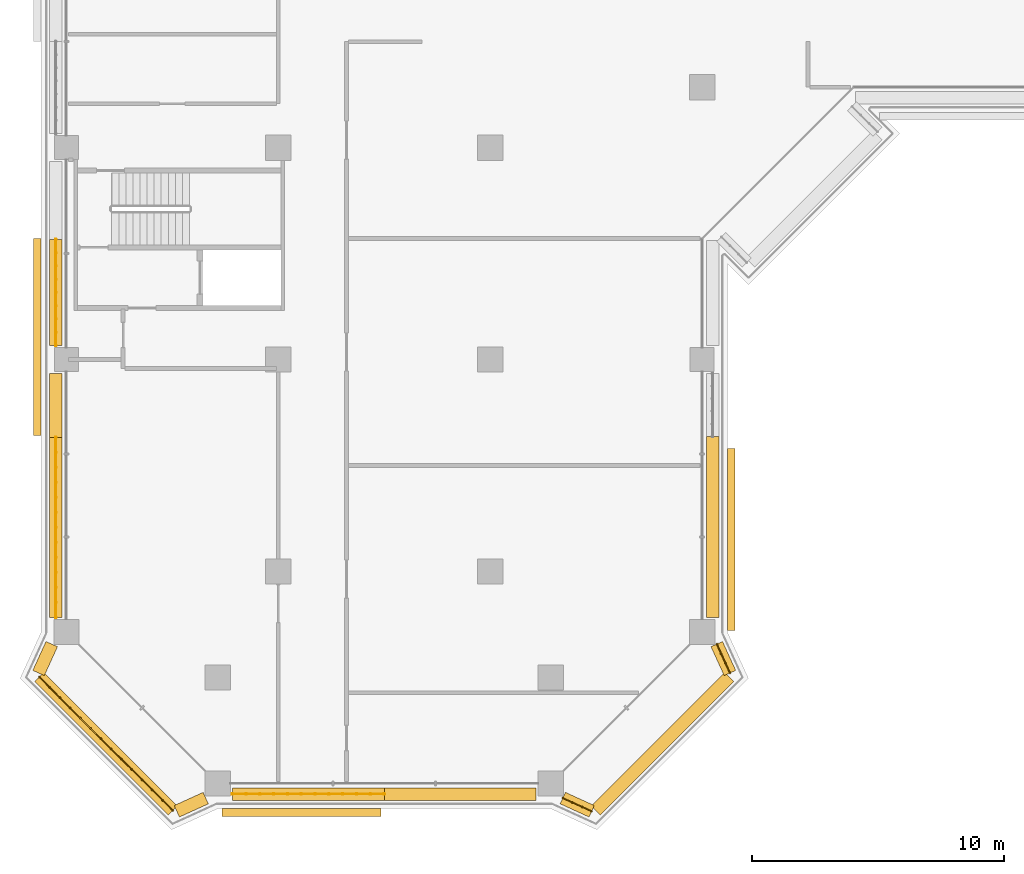
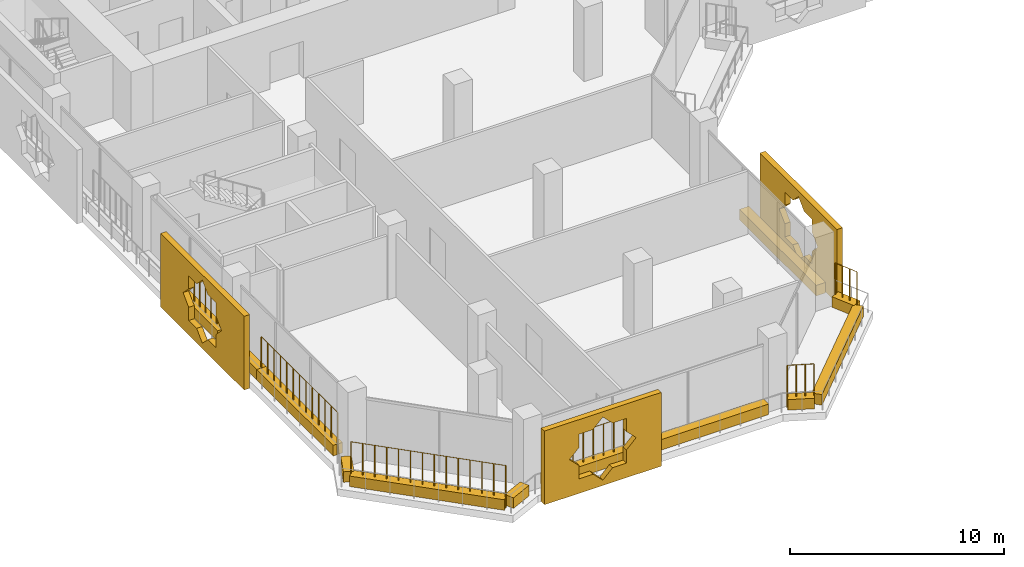
# One storey, part 16 of 23: 15 coverings, 6 railings.
"""IFC4 building model written with IfcOpenShell, lengths in metres."""

from ifc_helpers import new_model, si_unit, direction, frame, origin, origin_2d, place, context, subcontext, project, spatial, polyline, rectangle, circle, outline, extrude, material, material_profile, profile_set, type_object, element, save


model = new_model("IFC4")

# Units and contexts
model_context = context("Model", 3, precision=1e-05, world=origin(), true_north=direction((0.0, 1.0)))
body_context = subcontext(model_context, "Body", "Model", "MODEL_VIEW")
ifc_project = project(units=[si_unit("LENGTHUNIT", "METRE"), si_unit("AREAUNIT", "SQUARE_METRE"), si_unit("VOLUMEUNIT", "CUBIC_METRE"), si_unit("PLANEANGLEUNIT", "RADIAN"), si_unit("MASSUNIT", "GRAM", prefix="KILO")], contexts=[model_context])

# Site, building, storey
site_placement = place(None, origin())
site = spatial("IfcSite", under=ifc_project, at=site_placement, CompositionType="ELEMENT")
building_placement = place(site_placement, origin())
building = spatial("IfcBuilding", under=site, at=building_placement, Name="Kawkab Arch Medical Tower", CompositionType="ELEMENT")
storey_placement = place(building_placement, frame((0.0, 0.0, 158.39990234375)))
storey = spatial("IfcBuildingStorey", under=building, at=storey_placement, Name="L36", CompositionType="ELEMENT", Elevation=158.39990234375)

# Coverings
ifc_material_1 = material(Name="Bronze anodised aluminium mashrabiya panel, eight-point star pattern", Category="aluminium")
ifc_material_profile_1 = material_profile(ifc_material_1, outline(polyline([(-3.14990234375, -2.10009765625), (3.14990234375, -2.10009765625), (3.14990234375, 2.10009765625), (-3.14990234375, 2.10009765625), (-3.14990234375, -2.10009765625)]), holes=[polyline([(1.800048828125, 0.0), (1.272705078125, 0.527099609375), (1.272705078125, 1.272705078125), (0.527099609375, 1.272705078125), (0.0, 1.800048828125), (-0.527099609375, 1.272705078125), (-1.272705078125, 1.272705078125), (-1.272705078125, 0.527099609375), (-1.800048828125, 0.0), (-1.272705078125, -0.527099609375), (-1.272705078125, -1.272705078125), (-0.527099609375, -1.272705078125), (0.0, -1.800048828125), (0.527099609375, -1.272705078125), (1.272705078125, -1.272705078125), (1.272705078125, -0.527099609375), (1.800048828125, 0.0)])]), Name="Mashrabiya panel 6300x4200")
ifc_profile_set_1 = profile_set([ifc_material_profile_1], Name="Bronze anodised aluminium mashrabiya panel, eight-point star pattern")
covering_type_1 = type_object("IfcCoveringType", Name="Mashrabiya panel 6300 x 4200", PredefinedType="USERDEFINED", material=ifc_profile_set_1)
covering_1_placement = place(storey_placement, frame((9.31884765625, -59.800048828125, 1.7001953125), z_axis=(0.0, -1.0, 0.0), x_axis=(1.0, 0.0, 0.0)))
element("IfcCovering", 1, at=covering_1_placement, inside=storey, type_object=covering_type_1, Name="Mashrabiya panel L36.LOG-01-02.4", ObjectType="SCREEN", PredefinedType="USERDEFINED", context=body_context, shape_type="SweptSolid", body=[
    extrude(outline(polyline([(-3.14990234375, -2.10009765625), (3.14990234375, -2.10009765625), (3.14990234375, 2.10009765625), (-3.14990234375, 2.10009765625), (-3.14990234375, -2.10009765625)]), holes=[polyline([(1.800048828125, 0.0), (1.272705078125, 0.527099609375), (1.272705078125, 1.272705078125), (0.527099609375, 1.272705078125), (0.0, 1.800048828125), (-0.527099609375, 1.272705078125), (-1.272705078125, 1.272705078125), (-1.272705078125, 0.527099609375), (-1.800048828125, 0.0), (-1.272705078125, -0.527099609375), (-1.272705078125, -1.272705078125), (-0.527099609375, -1.272705078125), (0.0, -1.800048828125), (0.527099609375, -1.272705078125), (1.272705078125, -1.272705078125), (1.272705078125, -0.527099609375), (1.800048828125, 0.0)])]), origin(), (0.0, 0.0, 1.0), 0.300048828125),
])
ifc_material_2 = material(Name="Bronze anodised aluminium mashrabiya panel, eight-point star pattern", Category="aluminium")
ifc_material_profile_2 = material_profile(ifc_material_2, outline(polyline([(-3.60009765625, -2.10009765625), (3.60009765625, -2.10009765625), (3.60009765625, 2.10009765625), (-3.60009765625, 2.10009765625), (-3.60009765625, -2.10009765625)]), holes=[polyline([(1.800048828125, 0.0), (1.272705078125, 0.527099609375), (1.272705078125, 1.272705078125), (0.527099609375, 1.272705078125), (0.0, 1.800048828125), (-0.527099609375, 1.272705078125), (-1.272705078125, 1.272705078125), (-1.272705078125, 0.527099609375), (-1.800048828125, 0.0), (-1.272705078125, -0.527099609375), (-1.272705078125, -1.272705078125), (-0.527099609375, -1.272705078125), (0.0, -1.800048828125), (0.527099609375, -1.272705078125), (1.272705078125, -1.272705078125), (1.272705078125, -0.527099609375), (1.800048828125, 0.0)])]), Name="Mashrabiya panel 7200x4200")
ifc_profile_set_2 = profile_set([ifc_material_profile_2], Name="Bronze anodised aluminium mashrabiya panel, eight-point star pattern")
covering_type_2 = type_object("IfcCoveringType", Name="Mashrabiya panel 7200 x 4200", PredefinedType="USERDEFINED", material=ifc_profile_set_2)
covering_2_placement = place(storey_placement, frame((26.199951171875, -49.127197265625, 1.7001953125), z_axis=(1.0, 0.0, 0.0), x_axis=(0.0, 1.0, 0.0)))
element("IfcCovering", 2, at=covering_2_placement, inside=storey, type_object=covering_type_2, Name="Mashrabiya panel L36.LOG-01-02.3", ObjectType="SCREEN", PredefinedType="USERDEFINED", context=body_context, shape_type="SweptSolid", body=[
    extrude(outline(polyline([(-3.60009765625, -2.10009765625), (3.60009765625, -2.10009765625), (3.60009765625, 2.10009765625), (-3.60009765625, 2.10009765625), (-3.60009765625, -2.10009765625)]), holes=[polyline([(1.800048828125, 0.0), (1.272705078125, 0.527099609375), (1.272705078125, 1.272705078125), (0.527099609375, 1.272705078125), (0.0, 1.800048828125), (-0.527099609375, 1.272705078125), (-1.272705078125, 1.272705078125), (-1.272705078125, 0.527099609375), (-1.800048828125, 0.0), (-1.272705078125, -0.527099609375), (-1.272705078125, -1.272705078125), (-0.527099609375, -1.272705078125), (0.0, -1.800048828125), (0.527099609375, -1.272705078125), (1.272705078125, -1.272705078125), (1.272705078125, -0.527099609375), (1.800048828125, 0.0)])]), origin(), (0.0, 0.0, 1.0), 0.300048828125),
])
ifc_material_3 = material(Name="Bronze anodised aluminium mashrabiya panel, eight-point star pattern", Category="aluminium")
ifc_material_profile_3 = material_profile(ifc_material_3, outline(polyline([(-3.89990234375, -2.10009765625), (3.89990234375, -2.10009765625), (3.89990234375, 2.10009765625), (-3.89990234375, 2.10009765625), (-3.89990234375, -2.10009765625)]), holes=[polyline([(1.800048828125, 0.0), (1.272705078125, 0.527099609375), (1.272705078125, 1.272705078125), (0.527099609375, 1.272705078125), (0.0, 1.800048828125), (-0.527099609375, 1.272705078125), (-1.272705078125, 1.272705078125), (-1.272705078125, 0.527099609375), (-1.800048828125, 0.0), (-1.272705078125, -0.527099609375), (-1.272705078125, -1.272705078125), (-0.527099609375, -1.272705078125), (0.0, -1.800048828125), (0.527099609375, -1.272705078125), (1.272705078125, -1.272705078125), (1.272705078125, -0.527099609375), (1.800048828125, 0.0)])]), Name="Mashrabiya panel 7800x4200")
ifc_profile_set_3 = profile_set([ifc_material_profile_3], Name="Bronze anodised aluminium mashrabiya panel, eight-point star pattern")
covering_type_3 = type_object("IfcCoveringType", Name="Mashrabiya panel 7800 x 4200", PredefinedType="USERDEFINED", material=ifc_profile_set_3)
covering_3_placement = place(storey_placement, frame((-1.0, -41.10107421875, 1.7001953125), z_axis=(-1.0, 0.0, 0.0), x_axis=(0.0, -1.0, 0.0)))
element("IfcCovering", 3, at=covering_3_placement, inside=storey, type_object=covering_type_3, Name="Mashrabiya panel L36.LOG-01-02.5", ObjectType="SCREEN", PredefinedType="USERDEFINED", context=body_context, shape_type="SweptSolid", body=[
    extrude(outline(polyline([(-3.89990234375, -2.10009765625), (3.89990234375, -2.10009765625), (3.89990234375, 2.10009765625), (-3.89990234375, 2.10009765625), (-3.89990234375, -2.10009765625)]), holes=[polyline([(1.800048828125, 0.0), (1.272705078125, 0.527099609375), (1.272705078125, 1.272705078125), (0.527099609375, 1.272705078125), (0.0, 1.800048828125), (-0.527099609375, 1.272705078125), (-1.272705078125, 1.272705078125), (-1.272705078125, 0.527099609375), (-1.800048828125, 0.0), (-1.272705078125, -0.527099609375), (-1.272705078125, -1.272705078125), (-0.527099609375, -1.272705078125), (0.0, -1.800048828125), (0.527099609375, -1.272705078125), (1.272705078125, -1.272705078125), (1.272705078125, -0.527099609375), (1.800048828125, 0.0)])]), origin(), (0.0, 0.0, 1.0), 0.300048828125),
])
ifc_material_4 = material(Name="Planting soil in a precast trough", Category="concrete")
ifc_material_profile_4 = material_profile(ifc_material_4, rectangle(XDim=0.5, YDim=0.60009765625, at=origin_2d()), Name="Trough 500x600")
ifc_profile_set_4 = profile_set([ifc_material_profile_4], Name="Planting soil in a precast trough")
covering_type_4 = type_object("IfcCoveringType", Name="Planter trough 500 x 600", PredefinedType="USERDEFINED", material=ifc_profile_set_4)
covering_4_placement = place(storey_placement, frame((25.6201171875, -45.054931640625, 0.300048828125), z_axis=(0.0, -1.0, 0.0), x_axis=(1.0, 0.0, 0.0)))
element("IfcCovering", 4, at=covering_4_placement, inside=storey, type_object=covering_type_4, Name="Planter L36.LOG-01-02.12", ObjectType="PLANTER", PredefinedType="USERDEFINED", context=body_context, shape_type="SweptSolid", body=[
    extrude(rectangle(XDim=0.5, YDim=0.60009765625, at=origin_2d()), origin(), (0.0, 0.0, 1.0), 7.1650390625),
])
covering_5_placement = place(storey_placement, frame((25.780029296875, -53.277099609375, 0.300048828125), z_axis=(0.415163092626, -0.909747001381, 0.0), x_axis=(0.909747001381, 0.415163092626, 0.0)))
element("IfcCovering", 5, at=covering_5_placement, inside=storey, type_object=covering_type_4, Name="Planter L36.LOG-01-02.13", ObjectType="PLANTER", PredefinedType="USERDEFINED", context=body_context, shape_type="SweptSolid", body=[
    extrude(rectangle(XDim=0.5, YDim=0.60009765625, at=origin_2d()), origin(), (0.0, 0.0, 1.0), 1.25732421875),
])
covering_6_placement = place(storey_placement, frame((26.27294921875, -54.5830078125, 0.300048828125), z_axis=(-0.707106781187, -0.707106781187, 0.0), x_axis=(0.707106781187, -0.707106781187, 0.0)))
element("IfcCovering", 6, at=covering_6_placement, inside=storey, type_object=covering_type_4, Name="Planter L36.LOG-01-02.14", ObjectType="PLANTER", PredefinedType="USERDEFINED", context=body_context, shape_type="SweptSolid", body=[
    extrude(rectangle(XDim=0.5, YDim=0.60009765625, at=origin_2d()), origin(), (0.0, 0.0, 1.0), 7.481201171875),
])
covering_7_placement = place(storey_placement, frame((20.821044921875, -59.902099609375, 0.300048828125), z_axis=(-0.909707135283, 0.415250440113, 0.0), x_axis=(-0.415250440113, -0.909707135283, 0.0)))
element("IfcCovering", 7, at=covering_7_placement, inside=storey, type_object=covering_type_4, Name="Planter L36.LOG-01-02.15", ObjectType="PLANTER", PredefinedType="USERDEFINED", context=body_context, shape_type="SweptSolid", body=[
    extrude(rectangle(XDim=0.5, YDim=0.60009765625, at=origin_2d()), origin(), (0.0, 0.0, 1.0), 1.257568359375),
])
for number, where, z_axis, x_axis, name in (
    (8, (18.6201171875, -59.219970703125, 0.300048828125), (-1.0, 0.0, 0.0), (0.0, -1.0, 0.0), "Planter L36.LOG-01-02.16"),
    (9, (12.60009765625, -59.219970703125, 0.300048828125), (-1.0, 0.0, 0.0), (0.0, -1.0, 0.0), "Planter L36.LOG-01-02.17"),
):
    element("IfcCovering", number, at=place(storey_placement, frame(where, z_axis=z_axis, x_axis=x_axis)), inside=storey, type_object=covering_type_4, Name=name, ObjectType="PLANTER", PredefinedType="USERDEFINED", context=body_context, shape_type="SweptSolid", body=[
        extrude(rectangle(XDim=0.5, YDim=0.60009765625, at=origin_2d()), origin(), (0.0, 0.0, 1.0), 6.02001953125),
    ])
covering_8_placement = place(storey_placement, frame((5.52294921875, -59.3798828125, 0.300048828125), z_axis=(-0.909707135283, -0.415250440113, 0.0), x_axis=(0.415250440113, -0.909707135283, 0.0)))
element("IfcCovering", 10, at=covering_8_placement, inside=storey, type_object=covering_type_4, Name="Planter L36.LOG-01-02.18", ObjectType="PLANTER", PredefinedType="USERDEFINED", context=body_context, shape_type="SweptSolid", body=[
    extrude(rectangle(XDim=0.5, YDim=0.60009765625, at=origin_2d()), origin(), (0.0, 0.0, 1.0), 1.257568359375),
])
covering_9_placement = place(storey_placement, frame((4.217041015625, -59.873046875, 0.300048828125), z_axis=(-0.707106781187, 0.707106781187, 0.0), x_axis=(-0.707106781187, -0.707106781187, 0.0)))
element("IfcCovering", 11, at=covering_9_placement, inside=storey, type_object=covering_type_4, Name="Planter L36.LOG-01-02.19", ObjectType="PLANTER", PredefinedType="USERDEFINED", context=body_context, shape_type="SweptSolid", body=[
    extrude(rectangle(XDim=0.5, YDim=0.60009765625, at=origin_2d()), origin(), (0.0, 0.0, 1.0), 7.481201171875),
])
covering_10_placement = place(storey_placement, frame((-1.10205078125, -54.4208984375, 0.300048828125), z_axis=(0.415163092626, 0.909747001381, 0.0), x_axis=(-0.909747001381, 0.415163092626, 0.0)))
element("IfcCovering", 12, at=covering_10_placement, inside=storey, type_object=covering_type_4, Name="Planter L36.LOG-01-02.20", ObjectType="PLANTER", PredefinedType="USERDEFINED", context=body_context, shape_type="SweptSolid", body=[
    extrude(rectangle(XDim=0.5, YDim=0.60009765625, at=origin_2d()), origin(), (0.0, 0.0, 1.0), 1.25732421875),
])
covering_11_placement = place(storey_placement, frame((-0.419921875, -52.219970703125, 0.300048828125), z_axis=(0.0, 1.0, 0.0), x_axis=(-1.0, 0.0, 0.0)))
element("IfcCovering", 13, at=covering_11_placement, inside=storey, type_object=covering_type_4, Name="Planter L36.LOG-01-02.21", ObjectType="PLANTER", PredefinedType="USERDEFINED", context=body_context, shape_type="SweptSolid", body=[
    extrude(rectangle(XDim=0.5, YDim=0.60009765625, at=origin_2d()), origin(), (0.0, 0.0, 1.0), 7.135986328125),
])
covering_12_placement = place(storey_placement, frame((-0.419921875, -45.083984375, 0.300048828125), z_axis=(0.0, 1.0, 0.0), x_axis=(-1.0, 0.0, 0.0)))
element("IfcCovering", 14, at=covering_12_placement, inside=storey, type_object=covering_type_4, Name="Planter L36.LOG-01-02.22", ObjectType="PLANTER", PredefinedType="USERDEFINED", context=body_context, shape_type="SweptSolid", body=[
    extrude(rectangle(XDim=0.5, YDim=0.60009765625, at=origin_2d()), origin(), (0.0, 0.0, 1.0), 2.529052734375),
])
covering_13_placement = place(storey_placement, frame((-0.419921875, -41.445068359375, 0.300048828125), z_axis=(0.0, 1.0, 0.0), x_axis=(-1.0, 0.0, 0.0)))
element("IfcCovering", 15, at=covering_13_placement, inside=storey, type_object=covering_type_4, Name="Planter L36.LOG-01-02.23", ObjectType="PLANTER", PredefinedType="USERDEFINED", context=body_context, shape_type="SweptSolid", body=[
    extrude(rectangle(XDim=0.5, YDim=0.60009765625, at=origin_2d()), origin(), (0.0, 0.0, 1.0), 4.203125),
])

# Railings
ifc_material_5 = material(Name="Bronze anodised aluminium trellis for climbing plants", Category="aluminium")
railing_type = type_object("IfcRailingType", Name="Planting trellis 2400", PredefinedType="USERDEFINED", material=ifc_material_5)
railing_1_placement = place(storey_placement, frame((25.780029296875, -53.277099609375, 0.0)))
element("IfcRailing", 16, at=railing_1_placement, inside=storey, type_object=railing_type, Name="Planting trellis L36.LOG-01-02.13", ObjectType="TRELLIS", PredefinedType="USERDEFINED", context=body_context, shape_type="SweptSolid", body=[
    extrude(circle(Radius=0.01513671875, at=origin_2d()), frame((0.0, 0.0, 2.384765625), z_axis=(0.415163092626, -0.909747001381, 0.0), x_axis=(0.909747001381, 0.415163092626, 0.0)), (0.0, 0.0, 1.0), 1.25732421875),
    extrude(circle(Radius=0.030029296875, at=origin_2d()), origin(), (0.0, 0.0, 1.0), 2.369873046875),
    extrude(circle(Radius=0.030029296875, at=origin_2d()), frame((0.174072265625, -0.38134765625, 0.0)), (0.0, 0.0, 1.0), 2.369873046875),
    extrude(circle(Radius=0.030029296875, at=origin_2d()), frame((0.347900390625, -0.762451171875, 0.0)), (0.0, 0.0, 1.0), 2.369873046875),
    extrude(circle(Radius=0.030029296875, at=origin_2d()), frame((0.52197265625, -1.143798828125, 0.0)), (0.0, 0.0, 1.0), 2.369873046875),
])
railing_2_placement = place(storey_placement, frame((20.821044921875, -59.902099609375, 0.0)))
element("IfcRailing", 17, at=railing_2_placement, inside=storey, type_object=railing_type, Name="Planting trellis L36.LOG-01-02.15", ObjectType="TRELLIS", PredefinedType="USERDEFINED", context=body_context, shape_type="SweptSolid", body=[
    extrude(circle(Radius=0.01513671875, at=origin_2d()), frame((0.0, 0.0, 2.384765625), z_axis=(-0.909707135283, 0.415250440113, 0.0), x_axis=(-0.415250440113, -0.909707135283, 0.0)), (0.0, 0.0, 1.0), 1.257568359375),
    extrude(circle(Radius=0.030029296875, at=origin_2d()), origin(), (0.0, 0.0, 1.0), 2.369873046875),
    extrude(circle(Radius=0.030029296875, at=origin_2d()), frame((-0.38134765625, 0.174072265625, 0.0)), (0.0, 0.0, 1.0), 2.369873046875),
    extrude(circle(Radius=0.030029296875, at=origin_2d()), frame((-0.7626953125, 0.34814453125, 0.0)), (0.0, 0.0, 1.0), 2.369873046875),
    extrude(circle(Radius=0.030029296875, at=origin_2d()), frame((-1.14404296875, 0.522216796875, 0.0)), (0.0, 0.0, 1.0), 2.369873046875),
])
railing_3_placement = place(storey_placement, frame((12.60009765625, -59.219970703125, 0.0)))
element("IfcRailing", 18, at=railing_3_placement, inside=storey, type_object=railing_type, Name="Planting trellis L36.LOG-01-02.17", ObjectType="TRELLIS", PredefinedType="USERDEFINED", context=body_context, shape_type="SweptSolid", body=[
    extrude(circle(Radius=0.01513671875, at=origin_2d()), frame((0.0, 0.0, 2.384765625), z_axis=(-1.0, 0.0, 0.0), x_axis=(0.0, -1.0, 0.0)), (0.0, 0.0, 1.0), 6.02001953125),
    extrude(circle(Radius=0.030029296875, at=origin_2d()), origin(), (0.0, 0.0, 1.0), 2.369873046875),
    extrude(circle(Radius=0.030029296875, at=origin_2d()), frame((-0.54736328125, 0.0, 0.0)), (0.0, 0.0, 1.0), 2.369873046875),
    extrude(circle(Radius=0.030029296875, at=origin_2d()), frame((-1.094482421875, 0.0, 0.0)), (0.0, 0.0, 1.0), 2.369873046875),
    extrude(circle(Radius=0.030029296875, at=origin_2d()), frame((-1.641845703125, 0.0, 0.0)), (0.0, 0.0, 1.0), 2.369873046875),
    extrude(circle(Radius=0.030029296875, at=origin_2d()), frame((-2.189208984375, 0.0, 0.0)), (0.0, 0.0, 1.0), 2.369873046875),
    extrude(circle(Radius=0.030029296875, at=origin_2d()), frame((-2.736328125, 0.0, 0.0)), (0.0, 0.0, 1.0), 2.369873046875),
    extrude(circle(Radius=0.030029296875, at=origin_2d()), frame((-3.28369140625, 0.0, 0.0)), (0.0, 0.0, 1.0), 2.369873046875),
    extrude(circle(Radius=0.030029296875, at=origin_2d()), frame((-3.830810546875, 0.0, 0.0)), (0.0, 0.0, 1.0), 2.369873046875),
    extrude(circle(Radius=0.030029296875, at=origin_2d()), frame((-4.378173828125, 0.0, 0.0)), (0.0, 0.0, 1.0), 2.369873046875),
    extrude(circle(Radius=0.030029296875, at=origin_2d()), frame((-4.925537109375, 0.0, 0.0)), (0.0, 0.0, 1.0), 2.369873046875),
    extrude(circle(Radius=0.030029296875, at=origin_2d()), frame((-5.47265625, 0.0, 0.0)), (0.0, 0.0, 1.0), 2.369873046875),
    extrude(circle(Radius=0.030029296875, at=origin_2d()), frame((-6.02001953125, 0.0, 0.0)), (0.0, 0.0, 1.0), 2.369873046875),
])
railing_4_placement = place(storey_placement, frame((4.217041015625, -59.873046875, 0.0)))
element("IfcRailing", 19, at=railing_4_placement, inside=storey, type_object=railing_type, Name="Planting trellis L36.LOG-01-02.19", ObjectType="TRELLIS", PredefinedType="USERDEFINED", context=body_context, shape_type="SweptSolid", body=[
    extrude(circle(Radius=0.01513671875, at=origin_2d()), frame((0.0, 0.0, 2.384765625), z_axis=(-0.707106781187, 0.707106781187, 0.0), x_axis=(-0.707106781187, -0.707106781187, 0.0)), (0.0, 0.0, 1.0), 7.481201171875),
    extrude(circle(Radius=0.030029296875, at=origin_2d()), origin(), (0.0, 0.0, 1.0), 2.369873046875),
    extrude(circle(Radius=0.030029296875, at=origin_2d()), frame((-0.406982421875, 0.406982421875, 0.0)), (0.0, 0.0, 1.0), 2.369873046875),
    extrude(circle(Radius=0.030029296875, at=origin_2d()), frame((-0.81396484375, 0.81396484375, 0.0)), (0.0, 0.0, 1.0), 2.369873046875),
    extrude(circle(Radius=0.030029296875, at=origin_2d()), frame((-1.220703125, 1.220703125, 0.0)), (0.0, 0.0, 1.0), 2.369873046875),
    extrude(circle(Radius=0.030029296875, at=origin_2d()), frame((-1.627685546875, 1.627685546875, 0.0)), (0.0, 0.0, 1.0), 2.369873046875),
    extrude(circle(Radius=0.030029296875, at=origin_2d()), frame((-2.03466796875, 2.03466796875, 0.0)), (0.0, 0.0, 1.0), 2.369873046875),
    extrude(circle(Radius=0.030029296875, at=origin_2d()), frame((-2.441650390625, 2.441650390625, 0.0)), (0.0, 0.0, 1.0), 2.369873046875),
    extrude(circle(Radius=0.030029296875, at=origin_2d()), frame((-2.848388671875, 2.848388671875, 0.0)), (0.0, 0.0, 1.0), 2.369873046875),
    extrude(circle(Radius=0.030029296875, at=origin_2d()), frame((-3.25537109375, 3.25537109375, 0.0)), (0.0, 0.0, 1.0), 2.369873046875),
    extrude(circle(Radius=0.030029296875, at=origin_2d()), frame((-3.662353515625, 3.662353515625, 0.0)), (0.0, 0.0, 1.0), 2.369873046875),
    extrude(circle(Radius=0.030029296875, at=origin_2d()), frame((-4.0693359375, 4.0693359375, 0.0)), (0.0, 0.0, 1.0), 2.369873046875),
    extrude(circle(Radius=0.030029296875, at=origin_2d()), frame((-4.47607421875, 4.47607421875, 0.0)), (0.0, 0.0, 1.0), 2.369873046875),
    extrude(circle(Radius=0.030029296875, at=origin_2d()), frame((-4.883056640625, 4.883056640625, 0.0)), (0.0, 0.0, 1.0), 2.369873046875),
    extrude(circle(Radius=0.030029296875, at=origin_2d()), frame((-5.2900390625, 5.2900390625, 0.0)), (0.0, 0.0, 1.0), 2.369873046875),
])
railing_5_placement = place(storey_placement, frame((-0.419921875, -52.219970703125, 0.0)))
element("IfcRailing", 20, at=railing_5_placement, inside=storey, type_object=railing_type, Name="Planting trellis L36.LOG-01-02.21", ObjectType="TRELLIS", PredefinedType="USERDEFINED", context=body_context, shape_type="SweptSolid", body=[
    extrude(circle(Radius=0.01513671875, at=origin_2d()), frame((0.0, 0.0, 2.384765625), z_axis=(0.0, 1.0, 0.0), x_axis=(-1.0, 0.0, 0.0)), (0.0, 0.0, 1.0), 7.135986328125),
    extrude(circle(Radius=0.030029296875, at=origin_2d()), origin(), (0.0, 0.0, 1.0), 2.369873046875),
    extrude(circle(Radius=0.030029296875, at=origin_2d()), frame((0.0, 0.5947265625, 0.0)), (0.0, 0.0, 1.0), 2.369873046875),
    extrude(circle(Radius=0.030029296875, at=origin_2d()), frame((0.0, 1.189453125, 0.0)), (0.0, 0.0, 1.0), 2.369873046875),
    extrude(circle(Radius=0.030029296875, at=origin_2d()), frame((0.0, 1.783935546875, 0.0)), (0.0, 0.0, 1.0), 2.369873046875),
    extrude(circle(Radius=0.030029296875, at=origin_2d()), frame((0.0, 2.378662109375, 0.0)), (0.0, 0.0, 1.0), 2.369873046875),
    extrude(circle(Radius=0.030029296875, at=origin_2d()), frame((0.0, 2.973388671875, 0.0)), (0.0, 0.0, 1.0), 2.369873046875),
    extrude(circle(Radius=0.030029296875, at=origin_2d()), frame((0.0, 3.56787109375, 0.0)), (0.0, 0.0, 1.0), 2.369873046875),
    extrude(circle(Radius=0.030029296875, at=origin_2d()), frame((0.0, 4.16259765625, 0.0)), (0.0, 0.0, 1.0), 2.369873046875),
    extrude(circle(Radius=0.030029296875, at=origin_2d()), frame((0.0, 4.75732421875, 0.0)), (0.0, 0.0, 1.0), 2.369873046875),
    extrude(circle(Radius=0.030029296875, at=origin_2d()), frame((0.0, 5.35205078125, 0.0)), (0.0, 0.0, 1.0), 2.369873046875),
    extrude(circle(Radius=0.030029296875, at=origin_2d()), frame((0.0, 5.94677734375, 0.0)), (0.0, 0.0, 1.0), 2.369873046875),
    extrude(circle(Radius=0.030029296875, at=origin_2d()), frame((0.0, 6.541259765625, 0.0)), (0.0, 0.0, 1.0), 2.369873046875),
    extrude(circle(Radius=0.030029296875, at=origin_2d()), frame((0.0, 7.135986328125, 0.0)), (0.0, 0.0, 1.0), 2.369873046875),
])
railing_6_placement = place(storey_placement, frame((-0.419921875, -41.445068359375, 0.0)))
element("IfcRailing", 21, at=railing_6_placement, inside=storey, type_object=railing_type, Name="Planting trellis L36.LOG-01-02.23", ObjectType="TRELLIS", PredefinedType="USERDEFINED", context=body_context, shape_type="SweptSolid", body=[
    extrude(circle(Radius=0.01513671875, at=origin_2d()), frame((0.0, 0.0, 2.384765625), z_axis=(0.0, 1.0, 0.0), x_axis=(-1.0, 0.0, 0.0)), (0.0, 0.0, 1.0), 4.203125),
    extrude(circle(Radius=0.030029296875, at=origin_2d()), origin(), (0.0, 0.0, 1.0), 2.369873046875),
    extrude(circle(Radius=0.030029296875, at=origin_2d()), frame((0.0, 0.525390625, 0.0)), (0.0, 0.0, 1.0), 2.369873046875),
    extrude(circle(Radius=0.030029296875, at=origin_2d()), frame((0.0, 1.05078125, 0.0)), (0.0, 0.0, 1.0), 2.369873046875),
    extrude(circle(Radius=0.030029296875, at=origin_2d()), frame((0.0, 1.576171875, 0.0)), (0.0, 0.0, 1.0), 2.369873046875),
    extrude(circle(Radius=0.030029296875, at=origin_2d()), frame((0.0, 2.1015625, 0.0)), (0.0, 0.0, 1.0), 2.369873046875),
    extrude(circle(Radius=0.030029296875, at=origin_2d()), frame((0.0, 2.626953125, 0.0)), (0.0, 0.0, 1.0), 2.369873046875),
    extrude(circle(Radius=0.030029296875, at=origin_2d()), frame((0.0, 3.15234375, 0.0)), (0.0, 0.0, 1.0), 2.369873046875),
    extrude(circle(Radius=0.030029296875, at=origin_2d()), frame((0.0, 3.677734375, 0.0)), (0.0, 0.0, 1.0), 2.369873046875),
    extrude(circle(Radius=0.030029296875, at=origin_2d()), frame((0.0, 4.203125, 0.0)), (0.0, 0.0, 1.0), 2.369873046875),
])

save(model, "model.ifc")
